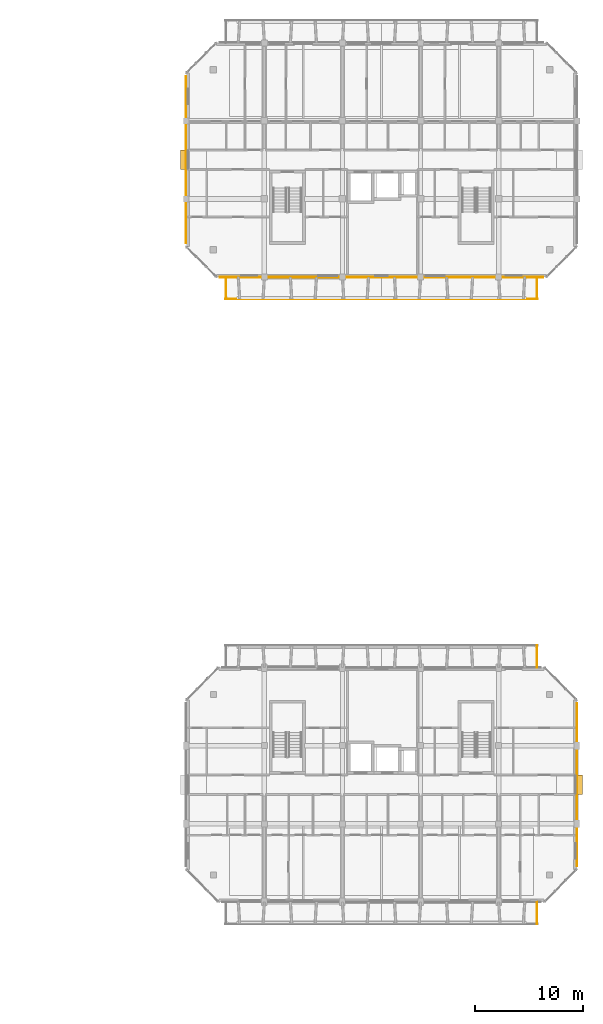
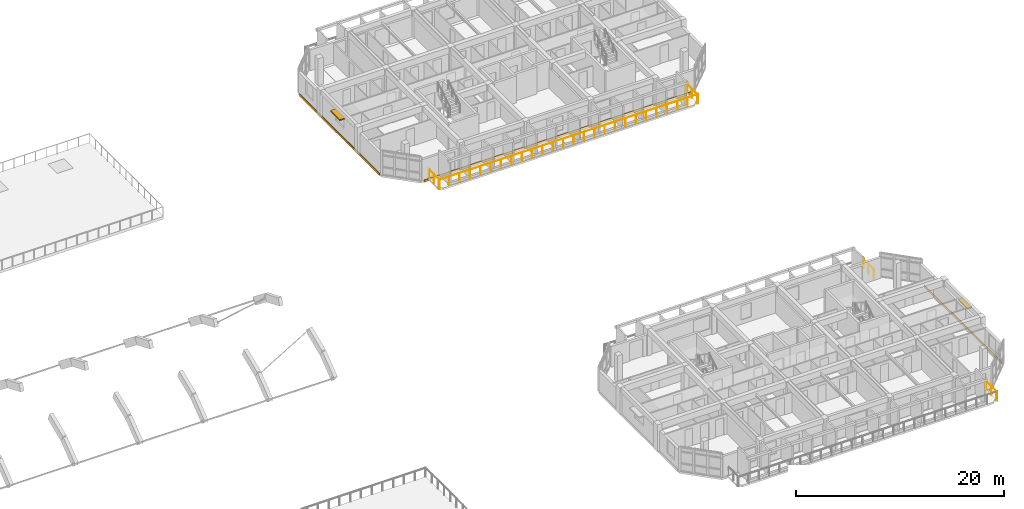
# One storey, part 62 of 64: 5 railings, 3 coverings, 2 shading devices.
"""IFC4 building model written with IfcOpenShell, lengths in metres."""

from ifc_helpers import new_model, si_unit, direction, frame, origin, origin_2d, place, context, subcontext, project, spatial, rectangle, circle, extrude, material, layer, layer_set, type_object, element, save


model = new_model("IFC4")

# Units and contexts
model_context = context("Model", 3, precision=1e-05, world=origin(), true_north=direction((0.0, 1.0)))
body_context = subcontext(model_context, "Body", "Model", "MODEL_VIEW")
ifc_project = project(units=[si_unit("LENGTHUNIT", "METRE"), si_unit("AREAUNIT", "SQUARE_METRE"), si_unit("VOLUMEUNIT", "CUBIC_METRE"), si_unit("PLANEANGLEUNIT", "RADIAN"), si_unit("MASSUNIT", "GRAM", prefix="KILO")], contexts=[model_context])

# Site, building, storey
site_placement = place(None, origin())
site = spatial("IfcSite", under=ifc_project, at=site_placement, CompositionType="ELEMENT")
building_placement = place(site_placement, origin())
building = spatial("IfcBuilding", under=site, at=building_placement, Name="Ochrevale Crest", CompositionType="ELEMENT")
storey_placement = place(building_placement, frame((0.0, 0.0, 8.699951171875)))
storey = spatial("IfcBuildingStorey", under=building, at=storey_placement, Name="L02", CompositionType="ELEMENT", Elevation=8.699951171875)

# Coverings
ifc_material_1 = material(Name="Glazed terracotta rainscreen tile", Category="masonry")
ifc_layer = layer(ifc_material_1, 0.048095703125)
ifc_layer_set = layer_set([ifc_layer], Name="Glazed terracotta rainscreen tile")
covering_type = type_object("IfcCoveringType", Name="COV-CLAD-TER", PredefinedType="CLADDING", material=ifc_layer_set)
covering_1_placement = place(storey_placement, frame((165.614501953125, 25.199951171875, -0.259765625), z_axis=(0.0, 0.0, 1.0), x_axis=(0.0, 1.0, 0.0)))
element("IfcCovering", 1, at=covering_1_placement, inside=storey, type_object=covering_type, Name="Block C L02 terracotta slab-edge spandrel cladding", PredefinedType="CLADDING", context=body_context, shape_type="SweptSolid", body=[
    extrude(rectangle(XDim=15.0, YDim=0.06005859375, at=origin_2d()), origin(), (0.0, 0.0, 1.0), 0.280029296875),
])
covering_2_placement = place(storey_placement, frame((147.60009765625, 71.987548828125, -0.259765625), z_axis=(0.0, 0.0, 1.0), x_axis=(1.0, 0.0, 0.0)))
element("IfcCovering", 2, at=covering_2_placement, inside=storey, type_object=covering_type, Name="Block D L02 terracotta slab-edge spandrel cladding", PredefinedType="CLADDING", context=body_context, shape_type="SweptSolid", body=[
    extrude(rectangle(XDim=29.800048828125, YDim=0.06005859375, at=origin_2d()), origin(), (0.0, 0.0, 1.0), 0.280029296875),
])
covering_3_placement = place(storey_placement, frame((129.58544921875, 82.800048828125, -0.259765625), z_axis=(0.0, 0.0, 1.0), x_axis=(0.0, -1.0, 0.0)))
element("IfcCovering", 3, at=covering_3_placement, inside=storey, type_object=covering_type, Name="Block D L02 terracotta slab-edge spandrel cladding", PredefinedType="CLADDING", context=body_context, shape_type="SweptSolid", body=[
    extrude(rectangle(XDim=15.39990234375, YDim=0.06005859375, at=origin_2d()), origin(), (0.0, 0.0, 1.0), 0.280029296875),
])

# Railings
ifc_material_2 = material(Name="Galvanised steel", Category="steel")
railing_type = type_object("IfcRailingType", Name="RL-BAL-1100", PredefinedType="BALUSTRADE", material=ifc_material_2)
railing_1_placement = place(storey_placement, frame((161.93994140625, 14.39990234375, 0.0)))
element("IfcRailing", 4, at=railing_1_placement, inside=storey, type_object=railing_type, Name="Block C L02 S-E balcony side guard", PredefinedType="BALUSTRADE", context=body_context, shape_type="SweptSolid", body=[
    extrude(circle(Radius=0.02392578125, at=origin_2d()), frame((0.0, 0.0, 1.0859375), z_axis=(0.0, -1.0, 0.0), x_axis=(1.0, 0.0, 0.0)), (0.0, 0.0, 1.0), 2.039794921875),
    extrude(circle(Radius=0.02099609375, at=origin_2d()), origin(), (0.0, 0.0, 1.0), 1.06201171875),
    extrude(circle(Radius=0.02099609375, at=origin_2d()), frame((0.0, -1.02001953125, 0.0)), (0.0, 0.0, 1.0), 1.06201171875),
    extrude(circle(Radius=0.02099609375, at=origin_2d()), frame((0.0, -2.039794921875, 0.0)), (0.0, 0.0, 1.0), 1.06201171875),
])
railing_2_placement = place(storey_placement, frame((161.93994140625, 36.0, 0.0)))
element("IfcRailing", 5, at=railing_2_placement, inside=storey, type_object=railing_type, Name="Block C L02 N-E balcony side guard", PredefinedType="BALUSTRADE", context=body_context, shape_type="SweptSolid", body=[
    extrude(circle(Radius=0.02392578125, at=origin_2d()), frame((0.0, 0.0, 1.0859375), z_axis=(0.0, 1.0, 0.0), x_axis=(-1.0, 0.0, 0.0)), (0.0, 0.0, 1.0), 2.0400390625),
    extrude(circle(Radius=0.02099609375, at=origin_2d()), origin(), (0.0, 0.0, 1.0), 1.06201171875),
    extrude(circle(Radius=0.02099609375, at=origin_2d()), frame((0.0, 1.02001953125, 0.0)), (0.0, 0.0, 1.0), 1.06201171875),
    extrude(circle(Radius=0.02099609375, at=origin_2d()), frame((0.0, 2.0400390625, 0.0)), (0.0, 0.0, 1.0), 1.06201171875),
])
railing_3_placement = place(storey_placement, frame((133.199951171875, 69.9599609375, 0.0)))
element("IfcRailing", 6, at=railing_3_placement, inside=storey, type_object=railing_type, Name="Block D L02 S balcony front balustrade", PredefinedType="BALUSTRADE", context=body_context, shape_type="SweptSolid", body=[
    extrude(circle(Radius=0.02392578125, at=origin_2d()), frame((0.0, 0.0, 1.0859375), z_axis=(1.0, 0.0, 0.0), x_axis=(0.0, 1.0, 0.0)), (0.0, 0.0, 1.0), 28.800048828125),
    extrude(circle(Radius=0.02099609375, at=origin_2d()), origin(), (0.0, 0.0, 1.0), 1.06201171875),
    extrude(circle(Radius=0.02099609375, at=origin_2d()), frame((1.152099609375, 0.0, 0.0)), (0.0, 0.0, 1.0), 1.06201171875),
    extrude(circle(Radius=0.02099609375, at=origin_2d()), frame((2.303955078125, 0.0, 0.0)), (0.0, 0.0, 1.0), 1.06201171875),
    extrude(circle(Radius=0.02099609375, at=origin_2d()), frame((3.4560546875, 0.0, 0.0)), (0.0, 0.0, 1.0), 1.06201171875),
    extrude(circle(Radius=0.02099609375, at=origin_2d()), frame((4.60791015625, 0.0, 0.0)), (0.0, 0.0, 1.0), 1.06201171875),
    extrude(circle(Radius=0.02099609375, at=origin_2d()), frame((5.760009765625, 0.0, 0.0)), (0.0, 0.0, 1.0), 1.06201171875),
    extrude(circle(Radius=0.02099609375, at=origin_2d()), frame((6.912109375, 0.0, 0.0)), (0.0, 0.0, 1.0), 1.06201171875),
    extrude(circle(Radius=0.02099609375, at=origin_2d()), frame((8.06396484375, 0.0, 0.0)), (0.0, 0.0, 1.0), 1.06201171875),
    extrude(circle(Radius=0.02099609375, at=origin_2d()), frame((9.216064453125, 0.0, 0.0)), (0.0, 0.0, 1.0), 1.06201171875),
    extrude(circle(Radius=0.02099609375, at=origin_2d()), frame((10.367919921875, 0.0, 0.0)), (0.0, 0.0, 1.0), 1.06201171875),
    extrude(circle(Radius=0.02099609375, at=origin_2d()), frame((11.52001953125, 0.0, 0.0)), (0.0, 0.0, 1.0), 1.06201171875),
    extrude(circle(Radius=0.02099609375, at=origin_2d()), frame((12.672119140625, 0.0, 0.0)), (0.0, 0.0, 1.0), 1.06201171875),
    extrude(circle(Radius=0.02099609375, at=origin_2d()), frame((13.823974609375, 0.0, 0.0)), (0.0, 0.0, 1.0), 1.06201171875),
    extrude(circle(Radius=0.02099609375, at=origin_2d()), frame((14.97607421875, 0.0, 0.0)), (0.0, 0.0, 1.0), 1.06201171875),
    extrude(circle(Radius=0.02099609375, at=origin_2d()), frame((16.1279296875, 0.0, 0.0)), (0.0, 0.0, 1.0), 1.06201171875),
    extrude(circle(Radius=0.02099609375, at=origin_2d()), frame((17.280029296875, 0.0, 0.0)), (0.0, 0.0, 1.0), 1.06201171875),
    extrude(circle(Radius=0.02099609375, at=origin_2d()), frame((18.43212890625, 0.0, 0.0)), (0.0, 0.0, 1.0), 1.06201171875),
    extrude(circle(Radius=0.02099609375, at=origin_2d()), frame((19.583984375, 0.0, 0.0)), (0.0, 0.0, 1.0), 1.06201171875),
    extrude(circle(Radius=0.02099609375, at=origin_2d()), frame((20.736083984375, 0.0, 0.0)), (0.0, 0.0, 1.0), 1.06201171875),
    extrude(circle(Radius=0.02099609375, at=origin_2d()), frame((21.887939453125, 0.0, 0.0)), (0.0, 0.0, 1.0), 1.06201171875),
    extrude(circle(Radius=0.02099609375, at=origin_2d()), frame((23.0400390625, 0.0, 0.0)), (0.0, 0.0, 1.0), 1.06201171875),
    extrude(circle(Radius=0.02099609375, at=origin_2d()), frame((24.192138671875, 0.0, 0.0)), (0.0, 0.0, 1.0), 1.06201171875),
    extrude(circle(Radius=0.02099609375, at=origin_2d()), frame((25.343994140625, 0.0, 0.0)), (0.0, 0.0, 1.0), 1.06201171875),
    extrude(circle(Radius=0.02099609375, at=origin_2d()), frame((26.49609375, 0.0, 0.0)), (0.0, 0.0, 1.0), 1.06201171875),
    extrude(circle(Radius=0.02099609375, at=origin_2d()), frame((27.64794921875, 0.0, 0.0)), (0.0, 0.0, 1.0), 1.06201171875),
    extrude(circle(Radius=0.02099609375, at=origin_2d()), frame((28.800048828125, 0.0, 0.0)), (0.0, 0.0, 1.0), 1.06201171875),
])
for number, where, name in (
    (7, (133.260009765625, 72.0, 0.0), "Block D L02 S-W balcony side guard"),
    (8, (161.93994140625, 72.0, 0.0), "Block D L02 S-E balcony side guard"),
):
    element("IfcRailing", number, at=place(storey_placement, frame(where)), inside=storey, type_object=railing_type, Name=name, PredefinedType="BALUSTRADE", context=body_context, shape_type="SweptSolid", body=[
        extrude(circle(Radius=0.02392578125, at=origin_2d()), frame((0.0, 0.0, 1.0859375), z_axis=(0.0, -1.0, 0.0), x_axis=(1.0, 0.0, 0.0)), (0.0, 0.0, 1.0), 2.0400390625),
        extrude(circle(Radius=0.02099609375, at=origin_2d()), origin(), (0.0, 0.0, 1.0), 1.06201171875),
        extrude(circle(Radius=0.02099609375, at=origin_2d()), frame((0.0, -1.02001953125, 0.0)), (0.0, 0.0, 1.0), 1.06201171875),
        extrude(circle(Radius=0.02099609375, at=origin_2d()), frame((0.0, -2.0400390625, 0.0)), (0.0, 0.0, 1.0), 1.06201171875),
    ])

# Shading devices
ifc_material_3 = material(Name="Anodised aluminium 6063-T5", Category="aluminium")
shading_device_type = type_object("IfcShadingDeviceType", Name="SHD-SUNSHADE-OC", PredefinedType="USERDEFINED", material=ifc_material_3)
for number, where, z_axis, x_axis, name in (
    (9, (165.840087890625, 25.199951171875, 2.2099609375), (0.0, 0.0, 1.0), (1.0, 0.0, 0.0), "Block C L02 gable window sunshade E"),
    (10, (129.360107421875, 82.800048828125, 2.2099609375), (0.0, 0.0, 1.0), (1.0, 0.0, 0.0), "Block D L02 gable window sunshade W"),
):
    element("IfcShadingDevice", number, at=place(storey_placement, frame(where, z_axis=z_axis, x_axis=x_axis)), inside=storey, type_object=shading_device_type, Name=name, ObjectType="HORIZONTAL SUNSHADE", PredefinedType="USERDEFINED", context=body_context, shape_type="SweptSolid", body=[
        extrude(rectangle(XDim=0.550048828125, YDim=1.800048828125, at=origin_2d()), origin(), (0.0, 0.0, 1.0), 0.139892578125),
    ])

save(model, "model.ifc")
